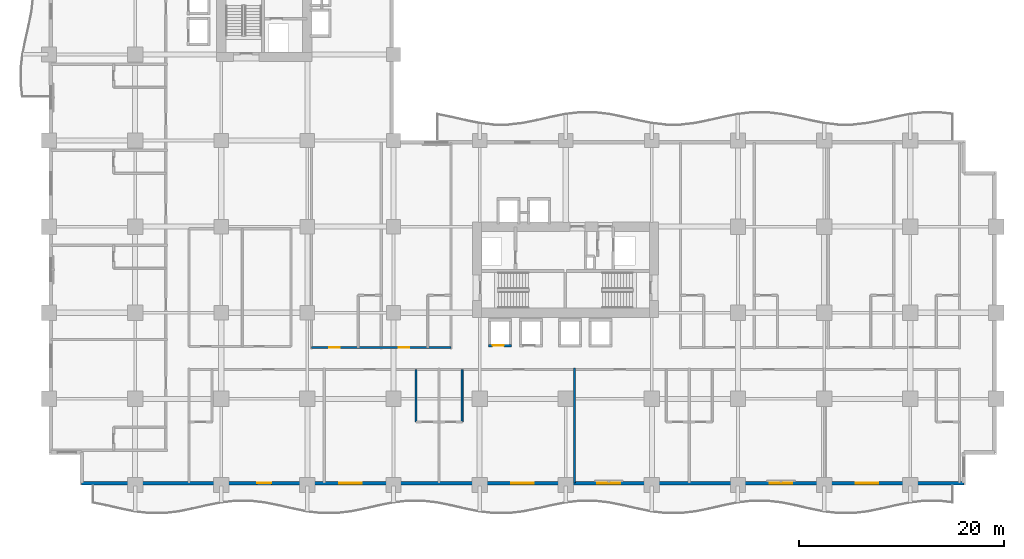
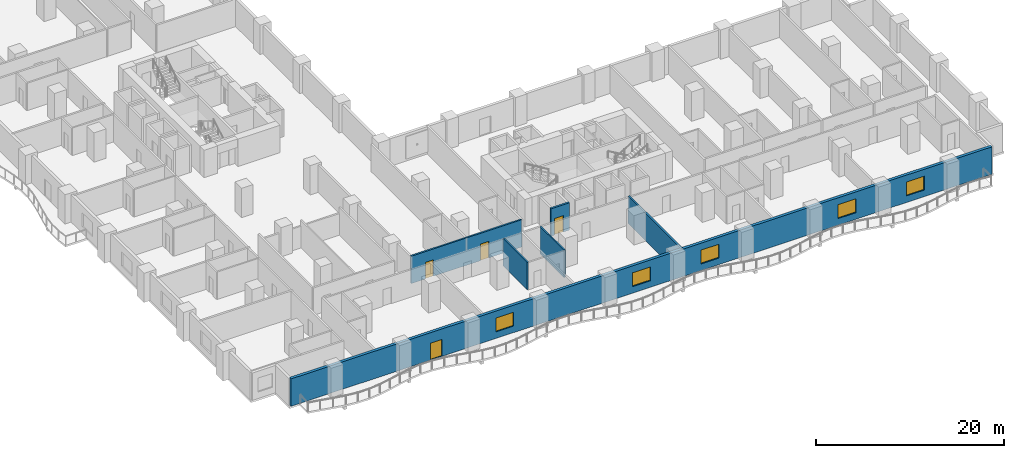
# One storey, part 5 of 22: 6 walls, 5 windows, 4 doors, 9 openings.
"""IFC4 building model written with IfcOpenShell, lengths in metres."""

from ifc_helpers import new_model, si_unit, direction, frame, frame_2d, origin, place, context, subcontext, project, spatial, rectangle, extrude, material, layer, layer_set, type_object, element, fill, save


model = new_model("IFC4")

# Units and contexts
model_context = context("Model", 3, precision=1e-05, world=origin(), true_north=direction((0.0, 1.0)))
body_context = subcontext(model_context, "Body", "Model", "MODEL_VIEW")
ifc_project = project(units=[si_unit("LENGTHUNIT", "METRE"), si_unit("AREAUNIT", "SQUARE_METRE"), si_unit("VOLUMEUNIT", "CUBIC_METRE"), si_unit("PLANEANGLEUNIT", "RADIAN"), si_unit("MASSUNIT", "GRAM", prefix="KILO")], contexts=[model_context])

# Site, building, storey
site_placement = place(None, origin())
site = spatial("IfcSite", under=ifc_project, at=site_placement, CompositionType="ELEMENT")
building_placement = place(site_placement, origin())
building = spatial("IfcBuilding", under=site, at=building_placement, Name="Koriwani Terraces Tower", CompositionType="ELEMENT")
storey_placement = place(building_placement, frame((0.0, 0.0, 43.39990234375)))
storey = spatial("IfcBuildingStorey", under=building, at=storey_placement, Name="L09", CompositionType="ELEMENT", Elevation=43.39990234375)

# Wall, openings, doors
ifc_material_1 = material(Name="Autoclaved Cellular Concrete Blockwork", Category="masonry")
ifc_layer_1 = layer(ifc_material_1, 0.199951171875, Name="Autoclaved Cellular Concrete Blockwork")
ifc_layer_set_1 = layer_set([ifc_layer_1], Name="Autoclaved Cellular Concrete Blockwork")
wall_type_1 = type_object("IfcWallType", Name="WALL_CORRIDOR_200", PredefinedType="PARTITIONING", material=ifc_layer_set_1)
wall_1_placement = place(storey_placement, frame((25.60009765625, 13.39990234375, 0.0), z_axis=(0.0, 0.0, 1.0), x_axis=(1.0, 0.0, 0.0)))
wall_1 = element("IfcWall", 1, at=wall_1_placement, inside=storey, type_object=wall_type_1, Name="L09 Interior Wall WCOR-L09-SWI-0", PredefinedType="PARTITIONING", context=body_context, shape_type="SweptSolid", body=[
    extrude(rectangle(XDim=13.599853515625, YDim=0.199951171875, at=frame_2d((6.7998046875, 0.0))), origin(), (0.0, 0.0, 1.0), 3.550048828125),
])
opening_1_placement = place(wall_1_placement, frame((1.735107421875, 0.0, 0.0)))
opening_1 = element("IfcOpeningElement", 2, at=opening_1_placement, cuts=wall_1, Name="Opening D-05", PredefinedType="OPENING", context=body_context, shape_type="SweptSolid", body=[
    extrude(rectangle(XDim=1.0, YDim=2.14990234375, at=frame_2d((0.5, 1.074951171875))), frame((0.0, 0.10986328125, 0.0), z_axis=(0.0, -1.0, 0.0), x_axis=(1.0, 0.0, 0.0)), (0.0, 0.0, 1.0), 0.219970703125),
])
opening_2_placement = place(wall_1_placement, frame((8.534912109375, 0.0, 0.0)))
opening_2 = element("IfcOpeningElement", 3, at=opening_2_placement, cuts=wall_1, Name="Opening D-05", PredefinedType="OPENING", context=body_context, shape_type="SweptSolid", body=[
    extrude(rectangle(XDim=1.0, YDim=2.14990234375, at=frame_2d((0.5, 1.074951171875))), frame((0.0, 0.10986328125, 0.0), z_axis=(0.0, -1.0, 0.0), x_axis=(1.0, 0.0, 0.0)), (0.0, 0.0, 1.0), 0.219970703125),
])
ifc_material_2 = material(Name="Architectural Oak Fire Door", Category="wood")
door_type_1 = type_object("IfcDoorType", Name="DOOR_SUITE_ENTRY_1000X2150", OperationType="NOTDEFINED", PredefinedType="DOOR", material=ifc_material_2)
door_1_placement = place(opening_1_placement, origin())
door_1 = element("IfcDoor", 4, at=door_1_placement, inside=storey, type_object=door_type_1, Name="Luxury Hotel Suite 09SWI1 Entrance Door", OperationType="SINGLE_SWING_LEFT", OverallHeight=2.14990234375, OverallWidth=1.0, PredefinedType="DOOR", context=body_context, shape_type="SweptSolid", body=[
    extrude(rectangle(XDim=1.0, YDim=2.14990234375, at=frame_2d((0.5, 1.074951171875))), frame((0.0, 0.02490234375, 0.0), z_axis=(0.0, -1.0, 0.0), x_axis=(1.0, 0.0, 0.0)), (0.0, 0.0, 1.0), 0.050048828125),
])
fill(opening_1, door_1)
door_2_placement = place(opening_2_placement, origin())
door_2 = element("IfcDoor", 5, at=door_2_placement, inside=storey, type_object=door_type_1, Name="Luxury Hotel Suite 09SWI2 Entrance Door", OperationType="SINGLE_SWING_LEFT", OverallHeight=2.14990234375, OverallWidth=1.0, PredefinedType="DOOR", context=body_context, shape_type="SweptSolid", body=[
    extrude(rectangle(XDim=1.0, YDim=2.14990234375, at=frame_2d((0.5, 1.074951171875))), frame((0.0, 0.02490234375, 0.0), z_axis=(0.0, -1.0, 0.0), x_axis=(1.0, 0.0, 0.0)), (0.0, 0.0, 1.0), 0.050048828125),
])
fill(opening_2, door_2)

# Wall
ifc_layer_2 = layer(ifc_material_1, 0.219970703125, Name="Autoclaved Cellular Concrete Blockwork")
ifc_layer_set_2 = layer_set([ifc_layer_2], Name="Autoclaved Cellular Concrete Blockwork")
wall_type_2 = type_object("IfcWallType", Name="WALL_DEMISING_220", PredefinedType="PARTITIONING", material=ifc_layer_set_2)
wall_2_placement = place(storey_placement, frame((51.25, 0.199951171875, 0.0), z_axis=(0.0, 0.0, 1.0), x_axis=(0.0, 1.0, 0.0)))
element("IfcWall", 6, at=wall_2_placement, inside=storey, type_object=wall_type_2, Name="L09 Interior Wall WDEM-L09-SW-3", PredefinedType="PARTITIONING", context=body_context, shape_type="SweptSolid", body=[
    extrude(rectangle(XDim=11.22998046875, YDim=0.219970703125, at=frame_2d((5.614990234375, 0.0))), origin(), (0.0, 0.0, 1.0), 3.550048828125),
])

# Wall, openings, door, windows
ifc_material_3 = material(Name="Concrete C50/60", Category="concrete")
ifc_layer_3 = layer(ifc_material_3, 0.35009765625, Name="Concrete C50/60")
ifc_layer_set_3 = layer_set([ifc_layer_3], Name="Concrete C50/60")
wall_type_3 = type_object("IfcWallType", Name="WALL_EXT_BRUTALIST_350", PredefinedType="STANDARD", material=ifc_layer_set_3)
wall_3_placement = place(storey_placement, frame((89.22509765625, 0.175048828125, 0.0), z_axis=(0.0, 0.0, 1.0), x_axis=(-1.0, 0.0, 0.0)))
wall_3 = element("IfcWall", 7, at=wall_3_placement, inside=storey, type_object=wall_type_3, Name="L09 Fair-Faced Brutalist Exterior Wall (S)", PredefinedType="STANDARD", context=body_context, shape_type="SweptSolid", body=[
    extrude(rectangle(XDim=86.050048828125, YDim=0.35009765625, at=frame_2d((43.02490234375, 0.0))), origin(), (0.0, 0.0, 1.0), 3.550048828125),
])
opening_3_placement = place(wall_3_placement, frame((67.52490234375, 0.0, 0.0)))
opening_3 = element("IfcOpeningElement", 8, at=opening_3_placement, cuts=wall_3, Name="Opening D-09", PredefinedType="OPENING", context=body_context, shape_type="SweptSolid", body=[
    extrude(rectangle(XDim=1.39990234375, YDim=2.199951171875, at=frame_2d((0.699951171875, 1.10009765625))), frame((0.0, 0.18505859375, 0.0), z_axis=(0.0, -1.0, 0.0), x_axis=(1.0, 0.0, 0.0)), (0.0, 0.0, 1.0), 0.3701171875),
])
opening_4_placement = place(wall_3_placement, frame((58.72509765625, 0.0, 0.85009765625)))
opening_4 = element("IfcOpeningElement", 9, at=opening_4_placement, cuts=wall_3, Name="Opening W-01", PredefinedType="OPENING", context=body_context, shape_type="SweptSolid", body=[
    extrude(rectangle(XDim=2.199951171875, YDim=1.800048828125, at=frame_2d((1.10009765625, 0.89990234375))), frame((0.0, 0.18505859375, 0.0), z_axis=(0.0, -1.0, 0.0), x_axis=(1.0, 0.0, 0.0)), (0.0, 0.0, 1.0), 0.3701171875),
])
opening_5_placement = place(wall_3_placement, frame((41.925048828125, 0.0, 0.85009765625)))
opening_5 = element("IfcOpeningElement", 10, at=opening_5_placement, cuts=wall_3, Name="Opening W-01", PredefinedType="OPENING", context=body_context, shape_type="SweptSolid", body=[
    extrude(rectangle(XDim=2.199951171875, YDim=1.800048828125, at=frame_2d((1.10009765625, 0.89990234375))), frame((0.0, 0.18505859375, 0.0), z_axis=(0.0, -1.0, 0.0), x_axis=(1.0, 0.0, 0.0)), (0.0, 0.0, 1.0), 0.3701171875),
])
opening_6_placement = place(wall_3_placement, frame((33.52490234375, 0.0, 0.85009765625)))
opening_6 = element("IfcOpeningElement", 11, at=opening_6_placement, cuts=wall_3, Name="Opening W-01", PredefinedType="OPENING", context=body_context, shape_type="SweptSolid", body=[
    extrude(rectangle(XDim=2.199951171875, YDim=1.800048828125, at=frame_2d((1.10009765625, 0.89990234375))), frame((0.0, 0.18505859375, 0.0), z_axis=(0.0, -1.0, 0.0), x_axis=(1.0, 0.0, 0.0)), (0.0, 0.0, 1.0), 0.3701171875),
])
opening_7_placement = place(wall_3_placement, frame((16.72509765625, 0.0, 0.85009765625)))
opening_7 = element("IfcOpeningElement", 12, at=opening_7_placement, cuts=wall_3, Name="Opening W-01", PredefinedType="OPENING", context=body_context, shape_type="SweptSolid", body=[
    extrude(rectangle(XDim=2.199951171875, YDim=1.800048828125, at=frame_2d((1.10009765625, 0.89990234375))), frame((0.0, 0.18505859375, 0.0), z_axis=(0.0, -1.0, 0.0), x_axis=(1.0, 0.0, 0.0)), (0.0, 0.0, 1.0), 0.3701171875),
])
opening_8_placement = place(wall_3_placement, frame((8.324951171875, 0.0, 0.85009765625)))
opening_8 = element("IfcOpeningElement", 13, at=opening_8_placement, cuts=wall_3, Name="Opening W-01", PredefinedType="OPENING", context=body_context, shape_type="SweptSolid", body=[
    extrude(rectangle(XDim=2.199951171875, YDim=1.800048828125, at=frame_2d((1.10009765625, 0.89990234375))), frame((0.0, 0.18505859375, 0.0), z_axis=(0.0, -1.0, 0.0), x_axis=(1.0, 0.0, 0.0)), (0.0, 0.0, 1.0), 0.3701171875),
])
ifc_material_4 = material(Name="Anodised Bronze Aluminium", Category="aluminium")
door_type_2 = type_object("IfcDoorType", Name="DOOR_BALCONY_GLAZED_1400X2200", OperationType="NOTDEFINED", PredefinedType="DOOR", material=ifc_material_4)
door_3_placement = place(opening_3_placement, origin())
door_3 = element("IfcDoor", 14, at=door_3_placement, inside=storey, type_object=door_type_2, Name="L09 South Balcony Glazed Door", OperationType="SINGLE_SWING_LEFT", OverallHeight=2.199951171875, OverallWidth=1.39990234375, PredefinedType="DOOR", context=body_context, shape_type="SweptSolid", body=[
    extrude(rectangle(XDim=1.39990234375, YDim=2.199951171875, at=frame_2d((0.699951171875, 1.10009765625))), frame((0.0, 0.02490234375, 0.0), z_axis=(0.0, -1.0, 0.0), x_axis=(1.0, 0.0, 0.0)), (0.0, 0.0, 1.0), 0.050048828125),
])
fill(opening_3, door_3)
ifc_material_5 = material(Name="Tempered Laminated Low-E Glass", Category="glass")
window_type = type_object("IfcWindowType", Name="WIN_HOTEL_STD_2200X1800", PartitioningType="DOUBLE_PANEL_VERTICAL", PredefinedType="WINDOW", material=ifc_material_5)
window_1_placement = place(opening_4_placement, origin())
window_1 = element("IfcWindow", 15, at=window_1_placement, inside=storey, type_object=window_type, Name="L09 Exterior Window (S-9)", OverallHeight=1.800048828125, OverallWidth=2.199951171875, PartitioningType="SINGLE_PANEL", PredefinedType="WINDOW", context=body_context, shape_type="SweptSolid", body=[
    extrude(rectangle(XDim=2.199951171875, YDim=1.800048828125, at=frame_2d((1.10009765625, 0.89990234375))), frame((0.0, 0.030029296875, 0.0), z_axis=(0.0, -1.0, 0.0), x_axis=(1.0, 0.0, 0.0)), (0.0, 0.0, 1.0), 0.06005859375),
])
fill(opening_4, window_1)
window_2_placement = place(opening_5_placement, origin())
window_2 = element("IfcWindow", 16, at=window_2_placement, inside=storey, type_object=window_type, Name="L09 Exterior Window (S-15)", OverallHeight=1.800048828125, OverallWidth=2.199951171875, PartitioningType="SINGLE_PANEL", PredefinedType="WINDOW", context=body_context, shape_type="SweptSolid", body=[
    extrude(rectangle(XDim=2.199951171875, YDim=1.800048828125, at=frame_2d((1.10009765625, 0.89990234375))), frame((0.0, 0.030029296875, 0.0), z_axis=(0.0, -1.0, 0.0), x_axis=(1.0, 0.0, 0.0)), (0.0, 0.0, 1.0), 0.06005859375),
])
fill(opening_5, window_2)
window_3_placement = place(opening_6_placement, origin())
window_3 = element("IfcWindow", 17, at=window_3_placement, inside=storey, type_object=window_type, Name="L09 Exterior Window (S-18)", OverallHeight=1.800048828125, OverallWidth=2.199951171875, PartitioningType="SINGLE_PANEL", PredefinedType="WINDOW", context=body_context, shape_type="SweptSolid", body=[
    extrude(rectangle(XDim=2.199951171875, YDim=1.800048828125, at=frame_2d((1.10009765625, 0.89990234375))), frame((0.0, 0.030029296875, 0.0), z_axis=(0.0, -1.0, 0.0), x_axis=(1.0, 0.0, 0.0)), (0.0, 0.0, 1.0), 0.06005859375),
])
fill(opening_6, window_3)
window_4_placement = place(opening_7_placement, origin())
window_4 = element("IfcWindow", 18, at=window_4_placement, inside=storey, type_object=window_type, Name="L09 Exterior Window (S-24)", OverallHeight=1.800048828125, OverallWidth=2.199951171875, PartitioningType="SINGLE_PANEL", PredefinedType="WINDOW", context=body_context, shape_type="SweptSolid", body=[
    extrude(rectangle(XDim=2.199951171875, YDim=1.800048828125, at=frame_2d((1.10009765625, 0.89990234375))), frame((0.0, 0.030029296875, 0.0), z_axis=(0.0, -1.0, 0.0), x_axis=(1.0, 0.0, 0.0)), (0.0, 0.0, 1.0), 0.06005859375),
])
fill(opening_7, window_4)
window_5_placement = place(opening_8_placement, origin())
window_5 = element("IfcWindow", 19, at=window_5_placement, inside=storey, type_object=window_type, Name="L09 Exterior Window (S-27)", OverallHeight=1.800048828125, OverallWidth=2.199951171875, PartitioningType="SINGLE_PANEL", PredefinedType="WINDOW", context=body_context, shape_type="SweptSolid", body=[
    extrude(rectangle(XDim=2.199951171875, YDim=1.800048828125, at=frame_2d((1.10009765625, 0.89990234375))), frame((0.0, 0.030029296875, 0.0), z_axis=(0.0, -1.0, 0.0), x_axis=(1.0, 0.0, 0.0)), (0.0, 0.0, 1.0), 0.06005859375),
])
fill(opening_8, window_5)

# Walls
ifc_material_6 = material(Name="Fire-Rated Acoustic Gypsum Partition", Category="masonry")
ifc_layer_4 = layer(ifc_material_6, 0.179931640625, Name="Fire-Rated Acoustic Gypsum Partition")
ifc_layer_set_4 = layer_set([ifc_layer_4], Name="Fire-Rated Acoustic Gypsum Partition")
wall_type_4 = type_object("IfcWallType", Name="WALL_PLUMBING_180", PredefinedType="PLUMBINGWALL", material=ifc_layer_set_4)
for number, where, z_axis, x_axis, name in (
    (20, (35.800048828125, 6.14990234375, 0.0), (0.0, 0.0, 1.0), (0.0, 1.0, 0.0), "L09 Interior Wall WBTH2-L09-SW-1"),
    (21, (40.300048828125, 6.14990234375, 0.0), (0.0, 0.0, 1.0), (0.0, 1.0, 0.0), "L09 Interior Wall WBTH2-L09-SW-2"),
):
    element("IfcWall", number, at=place(storey_placement, frame(where, z_axis=z_axis, x_axis=x_axis)), inside=storey, type_object=wall_type_4, Name=name, PredefinedType="PLUMBINGWALL", context=body_context, shape_type="SweptSolid", body=[
        extrude(rectangle(XDim=5.10009765625, YDim=0.179931640625, at=frame_2d((2.550048828125, 0.0))), origin(), (0.0, 0.0, 1.0), 3.550048828125),
    ])

# Wall, opening, door
ifc_material_7 = material(Name="Concrete C40/50", Category="concrete")
ifc_layer_5 = layer(ifc_material_7, 0.25, Name="Concrete C40/50")
ifc_layer_set_5 = layer_set([ifc_layer_5], Name="Concrete C40/50")
wall_type_5 = type_object("IfcWallType", Name="WALL_SHAFT_RATED_250", PredefinedType="SOLIDWALL", material=ifc_layer_set_5)
wall_4_placement = place(storey_placement, frame((42.875, 13.60009765625, 0.0), z_axis=(0.0, 0.0, 1.0), x_axis=(1.0, 0.0, 0.0)))
wall_4 = element("IfcWall", 22, at=wall_4_placement, inside=storey, type_object=wall_type_5, Name="L09 Interior Wall WIN-LF-PE-L3-L09-F", PredefinedType="SOLIDWALL", context=body_context, shape_type="SweptSolid", body=[
    extrude(rectangle(XDim=2.25, YDim=0.25, at=frame_2d((1.125, 0.0))), origin(), (0.0, 0.0, 1.0), 3.550048828125),
])
opening_9_placement = place(wall_4_placement, frame((0.39990234375, 0.0, 0.0)))
opening_9 = element("IfcOpeningElement", 23, at=opening_9_placement, cuts=wall_4, Name="Opening LD-01", PredefinedType="OPENING", context=body_context, shape_type="SweptSolid", body=[
    extrude(rectangle(XDim=1.10009765625, YDim=2.14990234375, at=frame_2d((0.550048828125, 1.074951171875))), frame((0.0, 0.135009765625, 0.0), z_axis=(0.0, -1.0, 0.0), x_axis=(1.0, 0.0, 0.0)), (0.0, 0.0, 1.0), 0.27001953125),
])
ifc_material_8 = material(Name="Steel ASTM A572 Grade 50", Category="steel")
door_type_3 = type_object("IfcDoorType", Name="DOOR_LIFT_LANDING_1100X2200", OperationType="NOTDEFINED", PredefinedType="DOOR", material=ifc_material_8)
door_4_placement = place(opening_9_placement, origin())
door_4 = element("IfcDoor", 24, at=door_4_placement, inside=storey, type_object=door_type_3, Name="L09 Passenger Lift PE-L3 Landing Door", OperationType="SLIDING_TO_LEFT", OverallHeight=2.14990234375, OverallWidth=1.10009765625, PredefinedType="DOOR", context=body_context, shape_type="SweptSolid", body=[
    extrude(rectangle(XDim=1.10009765625, YDim=2.14990234375, at=frame_2d((0.550048828125, 1.074951171875))), frame((0.0, 0.02490234375, 0.0), z_axis=(0.0, -1.0, 0.0), x_axis=(1.0, 0.0, 0.0)), (0.0, 0.0, 1.0), 0.050048828125),
])
fill(opening_9, door_4)

save(model, "model.ifc")
